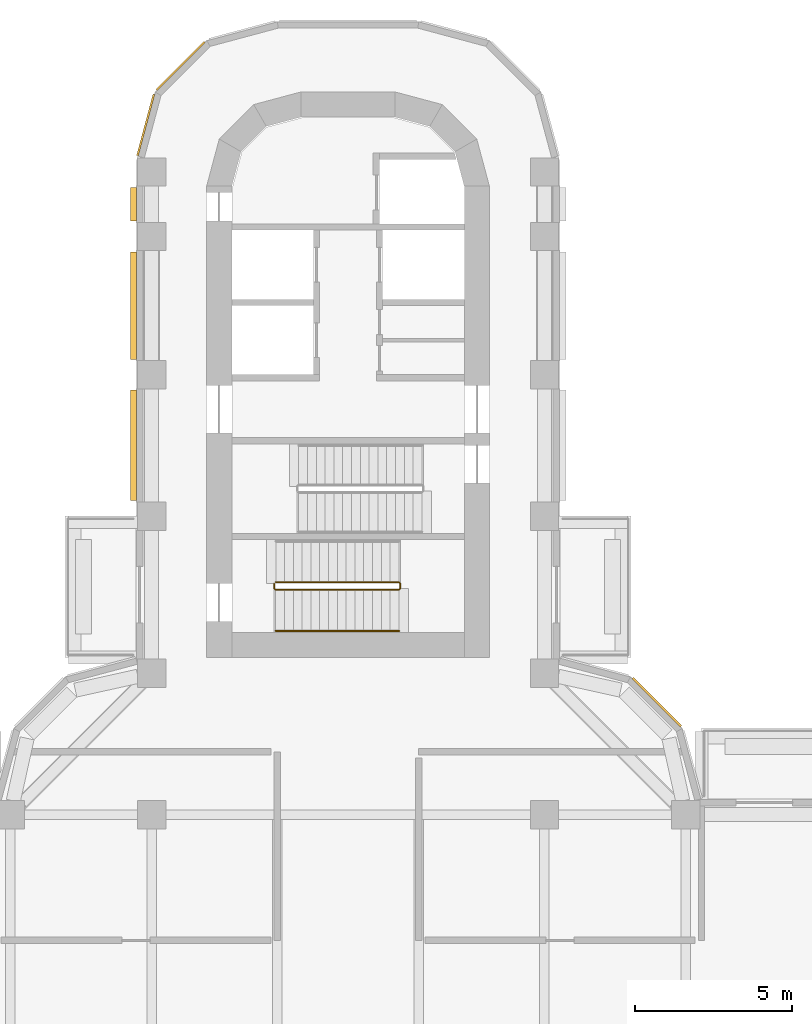
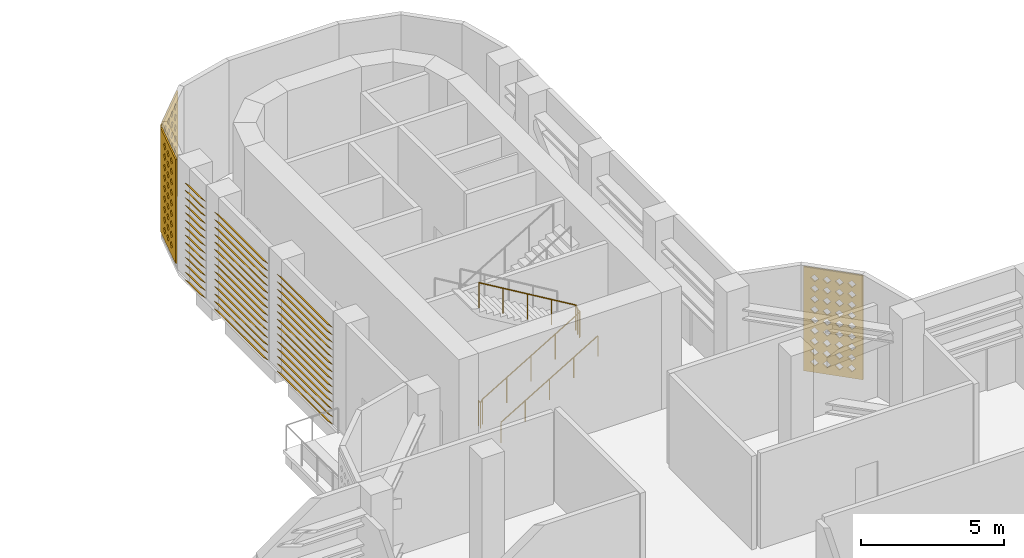
# One storey, part 16 of 20: 3 coverings, 3 shading devices, 2 railings.
"""IFC4 building model written with IfcOpenShell, lengths in metres."""

from ifc_helpers import new_model, si_unit, direction, frame, origin, origin_2d, place, context, subcontext, project, spatial, polyline, circle, outline, extrude, source, transform, mapped, material, layer, layer_set, type_object, element, save


model = new_model("IFC4")

# Units and contexts
model_context = context("Model", 3, precision=1e-05, world=origin(), true_north=direction((0.0, 1.0)))
body_context = subcontext(model_context, "Body", "Model", "MODEL_VIEW")
ifc_project = project(units=[si_unit("LENGTHUNIT", "METRE"), si_unit("AREAUNIT", "SQUARE_METRE"), si_unit("VOLUMEUNIT", "CUBIC_METRE"), si_unit("PLANEANGLEUNIT", "RADIAN"), si_unit("MASSUNIT", "GRAM", prefix="KILO")], contexts=[model_context])

# Site, building, storey
site_placement = place(None, origin())
site = spatial("IfcSite", under=ifc_project, at=site_placement, CompositionType="ELEMENT")
building_placement = place(site_placement, origin())
building = spatial("IfcBuilding", under=site, at=building_placement, Name="Zarbagh Exchange Tower", CompositionType="ELEMENT")
storey_placement = place(building_placement, frame((0.0, 0.0, 136.0)))
storey = spatial("IfcBuildingStorey", under=building, at=storey_placement, Name="L32", CompositionType="ELEMENT", Elevation=136.0)

# Railings
ifc_material_1 = material(Name="Stainless steel", Category="steel")
railing_type_1 = type_object("IfcRailingType", Name="Stair guard 1100 mm", PredefinedType="GUARDRAIL", material=ifc_material_1)
railing_1_placement = place(storey_placement, frame((-2.35009765625, 13.60009765625, 0.0)))
element("IfcRailing", 1, at=railing_1_placement, inside=storey, type_object=railing_type_1, Name="ST2 stair guard 1", PredefinedType="GUARDRAIL", context=body_context, shape_type="SweptSolid", body=[
    extrude(circle(Radius=0.02392578125, at=origin_2d()), frame((0.0, 0.0, 1.076171875), z_axis=(0.0, -1.0, 0.0), x_axis=(1.0, 0.0, 0.0)), (0.0, 0.0, 1.0), 0.150146484375),
    extrude(circle(Radius=0.02392578125, at=origin_2d()), frame((0.0, -0.150146484375, 1.076171875), z_axis=(0.27628659633, -0.27628659633, 0.920506074601), x_axis=(0.707106781187, 0.707106781187, 0.0)), (0.0, 0.0, 1.0), 0.18115234375),
    extrude(circle(Radius=0.02392578125, at=origin_2d()), frame((0.050048828125, -0.2001953125, 1.24267578125), z_axis=(0.859310244771, 0.0, 0.511454693235), x_axis=(0.0, 1.0, 0.0)), (0.0, 0.0, 1.0), 4.56201171875),
    extrude(circle(Radius=0.02392578125, at=origin_2d()), frame((3.97021484375, -0.2001953125, 3.576171875), z_axis=(0.705375805398, 0.708833529934, 0.0), x_axis=(-0.708833529934, 0.705375805398, 0.0)), (0.0, 0.0, 1.0), 0.070556640625),
    extrude(circle(Radius=0.02392578125, at=origin_2d()), frame((4.02001953125, -0.150146484375, 3.576171875), z_axis=(0.0, 1.0, 0.0), x_axis=(-1.0, 0.0, 0.0)), (0.0, 0.0, 1.0), 0.150146484375),
    extrude(circle(Radius=0.02392578125, at=origin_2d()), frame((4.02001953125, 0.0, 3.576171875), z_axis=(-0.275143339093, 0.275143339093, 0.92119068922), x_axis=(-0.707106781187, -0.707106781187, 0.0)), (0.0, 0.0, 1.0), 0.180908203125),
    extrude(circle(Radius=0.02392578125, at=origin_2d()), frame((3.97021484375, 0.0498046875, 3.74267578125), z_axis=(-0.859310244771, 0.0, 0.511454693235), x_axis=(0.0, -1.0, 0.0)), (0.0, 0.0, 1.0), 4.56201171875),
    extrude(circle(Radius=0.02099609375, at=origin_2d()), origin(), (0.0, 0.0, 1.0), 1.052001953125),
    extrude(circle(Radius=0.02099609375, at=origin_2d()), frame((0.0, -0.150146484375, 0.0)), (0.0, 0.0, 1.0), 1.052001953125),
    extrude(circle(Radius=0.02099609375, at=origin_2d()), frame((0.050048828125, -0.2001953125, 0.166748046875)), (0.0, 0.0, 1.0), 1.052001953125),
    extrude(circle(Radius=0.02099609375, at=origin_2d()), frame((1.030029296875, -0.2001953125, 0.75)), (0.0, 0.0, 1.0), 1.052001953125),
    extrude(circle(Radius=0.02099609375, at=origin_2d()), frame((2.01025390625, -0.2001953125, 1.33349609375)), (0.0, 0.0, 1.0), 1.052001953125),
    extrude(circle(Radius=0.02099609375, at=origin_2d()), frame((2.990234375, -0.2001953125, 1.916748046875)), (0.0, 0.0, 1.0), 1.052001953125),
    extrude(circle(Radius=0.02099609375, at=origin_2d()), frame((3.97021484375, -0.2001953125, 2.5)), (0.0, 0.0, 1.0), 1.052001953125),
    extrude(circle(Radius=0.02099609375, at=origin_2d()), frame((4.02001953125, -0.150146484375, 2.5)), (0.0, 0.0, 1.0), 1.052001953125),
    extrude(circle(Radius=0.02099609375, at=origin_2d()), frame((4.02001953125, 0.0, 2.5)), (0.0, 0.0, 1.0), 1.052001953125),
    extrude(circle(Radius=0.02099609375, at=origin_2d()), frame((3.97021484375, 0.0498046875, 2.666748046875)), (0.0, 0.0, 1.0), 1.052001953125),
    extrude(circle(Radius=0.02099609375, at=origin_2d()), frame((2.990234375, 0.0498046875, 3.25)), (0.0, 0.0, 1.0), 1.052001953125),
    extrude(circle(Radius=0.02099609375, at=origin_2d()), frame((2.01025390625, 0.0498046875, 3.83349609375)), (0.0, 0.0, 1.0), 1.052001953125),
    extrude(circle(Radius=0.02099609375, at=origin_2d()), frame((1.030029296875, 0.0498046875, 4.416748046875)), (0.0, 0.0, 1.0), 1.052001953125),
    extrude(circle(Radius=0.02099609375, at=origin_2d()), frame((0.050048828125, 0.0498046875, 5.0)), (0.0, 0.0, 1.0), 1.052001953125),
])
railing_type_2 = type_object("IfcRailingType", Name="Stair handrail 900 mm", PredefinedType="HANDRAIL", material=ifc_material_1)
railing_2_placement = place(storey_placement, frame((-2.300048828125, 12.10009765625, 0.166748046875)))
element("IfcRailing", 2, at=railing_2_placement, inside=storey, type_object=railing_type_2, Name="ST2 stair handrail 1", PredefinedType="HANDRAIL", context=body_context, shape_type="SweptSolid", body=[
    extrude(circle(Radius=0.02392578125, at=origin_2d()), frame((0.0, 0.0, 0.8759765625), z_axis=(0.859310244771, 0.0, 0.511454693235), x_axis=(0.0, 1.0, 0.0)), (0.0, 0.0, 1.0), 4.56201171875),
    extrude(circle(Radius=0.02099609375, at=origin_2d()), origin(), (0.0, 0.0, 1.0), 0.851806640625),
    extrude(circle(Radius=0.02099609375, at=origin_2d()), frame((0.97998046875, 0.0, 0.583251953125)), (0.0, 0.0, 1.0), 0.851806640625),
    extrude(circle(Radius=0.02099609375, at=origin_2d()), frame((1.9599609375, 0.0, 1.16650390625)), (0.0, 0.0, 1.0), 0.851806640625),
    extrude(circle(Radius=0.02099609375, at=origin_2d()), frame((2.940185546875, 0.0, 1.75)), (0.0, 0.0, 1.0), 0.851806640625),
    extrude(circle(Radius=0.02099609375, at=origin_2d()), frame((3.920166015625, 0.0, 2.333251953125)), (0.0, 0.0, 1.0), 0.851806640625),
])

# Coverings
ifc_material_2 = material(Name="Glass-fibre reinforced concrete GFRC C50/60", Category="concrete")
ifc_layer = layer(ifc_material_2, 0.06005859375)
ifc_layer_set = layer_set([ifc_layer], Name="SCREEN jali panel, GFRC")
covering_type = type_object("IfcCoveringType", Name="SCREEN jali panel, GFRC", PredefinedType="CLADDING", material=ifc_layer_set)
shared_shape_1 = source(origin(), body_context, "Body", "SweptSolid", [
    extrude(outline(polyline([(0.0, 0.0), (2.1650390625, 0.0), (2.1650390625, 4.449951171875), (0.0, 4.449951171875), (0.0, 0.0)]), holes=[polyline([(0.257568359375, 0.425048828125), (0.407470703125, 0.27490234375), (0.5576171875, 0.425048828125), (0.407470703125, 0.574951171875), (0.257568359375, 0.425048828125)]), polyline([(0.257568359375, 0.875), (0.407470703125, 0.72509765625), (0.5576171875, 0.875), (0.407470703125, 1.02490234375), (0.257568359375, 0.875)]), polyline([(0.257568359375, 1.324951171875), (0.407470703125, 1.175048828125), (0.5576171875, 1.324951171875), (0.407470703125, 1.47509765625), (0.257568359375, 1.324951171875)]), polyline([(0.257568359375, 1.77490234375), (0.407470703125, 1.625), (0.5576171875, 1.77490234375), (0.407470703125, 1.925048828125), (0.257568359375, 1.77490234375)]), polyline([(0.257568359375, 2.22509765625), (0.407470703125, 2.074951171875), (0.5576171875, 2.22509765625), (0.407470703125, 2.375), (0.257568359375, 2.22509765625)]), polyline([(0.257568359375, 2.675048828125), (0.407470703125, 2.52490234375), (0.5576171875, 2.675048828125), (0.407470703125, 2.824951171875), (0.257568359375, 2.675048828125)]), polyline([(0.257568359375, 3.125), (0.407470703125, 2.97509765625), (0.5576171875, 3.125), (0.407470703125, 3.27490234375), (0.257568359375, 3.125)]), polyline([(0.257568359375, 3.574951171875), (0.407470703125, 3.425048828125), (0.5576171875, 3.574951171875), (0.407470703125, 3.72509765625), (0.257568359375, 3.574951171875)]), polyline([(0.257568359375, 4.02490234375), (0.407470703125, 3.875), (0.5576171875, 4.02490234375), (0.407470703125, 4.175048828125), (0.257568359375, 4.02490234375)]), polyline([(0.70751953125, 0.425048828125), (0.857421875, 0.27490234375), (1.007568359375, 0.425048828125), (0.857421875, 0.574951171875), (0.70751953125, 0.425048828125)]), polyline([(0.70751953125, 0.875), (0.857421875, 0.72509765625), (1.007568359375, 0.875), (0.857421875, 1.02490234375), (0.70751953125, 0.875)]), polyline([(0.70751953125, 1.324951171875), (0.857421875, 1.175048828125), (1.007568359375, 1.324951171875), (0.857421875, 1.47509765625), (0.70751953125, 1.324951171875)]), polyline([(0.70751953125, 1.77490234375), (0.857421875, 1.625), (1.007568359375, 1.77490234375), (0.857421875, 1.925048828125), (0.70751953125, 1.77490234375)]), polyline([(0.70751953125, 2.22509765625), (0.857421875, 2.074951171875), (1.007568359375, 2.22509765625), (0.857421875, 2.375), (0.70751953125, 2.22509765625)]), polyline([(0.70751953125, 2.675048828125), (0.857421875, 2.52490234375), (1.007568359375, 2.675048828125), (0.857421875, 2.824951171875), (0.70751953125, 2.675048828125)]), polyline([(0.70751953125, 3.125), (0.857421875, 2.97509765625), (1.007568359375, 3.125), (0.857421875, 3.27490234375), (0.70751953125, 3.125)]), polyline([(0.70751953125, 3.574951171875), (0.857421875, 3.425048828125), (1.007568359375, 3.574951171875), (0.857421875, 3.72509765625), (0.70751953125, 3.574951171875)]), polyline([(0.70751953125, 4.02490234375), (0.857421875, 3.875), (1.007568359375, 4.02490234375), (0.857421875, 4.175048828125), (0.70751953125, 4.02490234375)]), polyline([(1.157470703125, 0.425048828125), (1.3076171875, 0.27490234375), (1.45751953125, 0.425048828125), (1.3076171875, 0.574951171875), (1.157470703125, 0.425048828125)]), polyline([(1.157470703125, 0.875), (1.3076171875, 0.72509765625), (1.45751953125, 0.875), (1.3076171875, 1.02490234375), (1.157470703125, 0.875)]), polyline([(1.157470703125, 1.324951171875), (1.3076171875, 1.175048828125), (1.45751953125, 1.324951171875), (1.3076171875, 1.47509765625), (1.157470703125, 1.324951171875)]), polyline([(1.157470703125, 1.77490234375), (1.3076171875, 1.625), (1.45751953125, 1.77490234375), (1.3076171875, 1.925048828125), (1.157470703125, 1.77490234375)]), polyline([(1.157470703125, 2.22509765625), (1.3076171875, 2.074951171875), (1.45751953125, 2.22509765625), (1.3076171875, 2.375), (1.157470703125, 2.22509765625)]), polyline([(1.157470703125, 2.675048828125), (1.3076171875, 2.52490234375), (1.45751953125, 2.675048828125), (1.3076171875, 2.824951171875), (1.157470703125, 2.675048828125)]), polyline([(1.157470703125, 3.125), (1.3076171875, 2.97509765625), (1.45751953125, 3.125), (1.3076171875, 3.27490234375), (1.157470703125, 3.125)]), polyline([(1.157470703125, 3.574951171875), (1.3076171875, 3.425048828125), (1.45751953125, 3.574951171875), (1.3076171875, 3.72509765625), (1.157470703125, 3.574951171875)]), polyline([(1.157470703125, 4.02490234375), (1.3076171875, 3.875), (1.45751953125, 4.02490234375), (1.3076171875, 4.175048828125), (1.157470703125, 4.02490234375)]), polyline([(1.607421875, 0.425048828125), (1.757568359375, 0.27490234375), (1.907470703125, 0.425048828125), (1.757568359375, 0.574951171875), (1.607421875, 0.425048828125)]), polyline([(1.607421875, 0.875), (1.757568359375, 0.72509765625), (1.907470703125, 0.875), (1.757568359375, 1.02490234375), (1.607421875, 0.875)]), polyline([(1.607421875, 1.324951171875), (1.757568359375, 1.175048828125), (1.907470703125, 1.324951171875), (1.757568359375, 1.47509765625), (1.607421875, 1.324951171875)]), polyline([(1.607421875, 1.77490234375), (1.757568359375, 1.625), (1.907470703125, 1.77490234375), (1.757568359375, 1.925048828125), (1.607421875, 1.77490234375)]), polyline([(1.607421875, 2.22509765625), (1.757568359375, 2.074951171875), (1.907470703125, 2.22509765625), (1.757568359375, 2.375), (1.607421875, 2.22509765625)]), polyline([(1.607421875, 2.675048828125), (1.757568359375, 2.52490234375), (1.907470703125, 2.675048828125), (1.757568359375, 2.824951171875), (1.607421875, 2.675048828125)]), polyline([(1.607421875, 3.125), (1.757568359375, 2.97509765625), (1.907470703125, 3.125), (1.757568359375, 3.27490234375), (1.607421875, 3.125)]), polyline([(1.607421875, 3.574951171875), (1.757568359375, 3.425048828125), (1.907470703125, 3.574951171875), (1.757568359375, 3.72509765625), (1.607421875, 3.574951171875)]), polyline([(1.607421875, 4.02490234375), (1.757568359375, 3.875), (1.907470703125, 4.02490234375), (1.757568359375, 4.175048828125), (1.607421875, 4.02490234375)])]), origin(), (0.0, 0.0, 1.0), 0.06005859375),
])
placement = place(storey_placement, origin())
element("IfcCovering", 3, at=placement, inside=storey, type_object=covering_type, Name="JS15 jali screen", PredefinedType="CLADDING", context=body_context, shape_type="MappedRepresentation", body=[
    mapped(shared_shape_1, transform((10.574951171875, 9.0439453125, 0.199951171875), x_axis=(-0.707106781187, 0.707106781187, 0.0), y_axis=(0.0, 0.0, 1.0), z_axis=(0.707106781187, 0.707106781187, 0.0))),
])
element("IfcCovering", 4, at=placement, inside=storey, type_object=covering_type, Name="JS53 jali screen", PredefinedType="CLADDING", context=body_context, shape_type="MappedRepresentation", body=[
    mapped(shared_shape_1, transform((-4.5439453125, 30.824951171875, 0.199951171875), x_axis=(-0.707106781187, -0.707106781187, 0.0), y_axis=(0.0, 0.0, 1.0), z_axis=(-0.707106781187, 0.707106781187, 0.0))),
])

# Shading devices
ifc_material_3 = material(Name="Anodised aluminium", Category="aluminium")
shading_device_type = type_object("IfcShadingDeviceType", Name="LOUVRE plant louvre, fixed blades", PredefinedType="USERDEFINED", material=ifc_material_3)
shared_shape_2 = source(origin(), body_context, "Body", "SweptSolid", [
    extrude(outline(polyline([(0.0, 0.199951171875), (0.199951171875, 0.0), (0.199951171875, -0.02001953125), (0.0, 0.179931640625), (0.0, 0.199951171875)])), origin(), (0.0, 0.0, 1.0), 3.419921875),
])
element("IfcShadingDevice", 5, at=placement, inside=storey, type_object=shading_device_type, Name="LV12 plant louvre", ObjectType="LOUVRE", PredefinedType="USERDEFINED", context=body_context, shape_type="MappedRepresentation", body=[
    mapped(shared_shape_2, transform((-6.72998046875, 24.159912109375, 0.199951171875), x_axis=(-1.0, 0.0, 0.0), y_axis=(0.0, 0.0, -1.0), z_axis=(0.0, -1.0, 0.0))),
    mapped(shared_shape_2, transform((-6.72998046875, 24.159912109375, 0.517822265625), x_axis=(-1.0, 0.0, 0.0), y_axis=(0.0, 0.0, -1.0), z_axis=(0.0, -1.0, 0.0))),
    mapped(shared_shape_2, transform((-6.72998046875, 24.159912109375, 0.835693359375), x_axis=(-1.0, 0.0, 0.0), y_axis=(0.0, 0.0, -1.0), z_axis=(0.0, -1.0, 0.0))),
    mapped(shared_shape_2, transform((-6.72998046875, 24.159912109375, 1.153564453125), x_axis=(-1.0, 0.0, 0.0), y_axis=(0.0, 0.0, -1.0), z_axis=(0.0, -1.0, 0.0))),
    mapped(shared_shape_2, transform((-6.72998046875, 24.159912109375, 1.471435546875), x_axis=(-1.0, 0.0, 0.0), y_axis=(0.0, 0.0, -1.0), z_axis=(0.0, -1.0, 0.0))),
    mapped(shared_shape_2, transform((-6.72998046875, 24.159912109375, 1.789306640625), x_axis=(-1.0, 0.0, 0.0), y_axis=(0.0, 0.0, -1.0), z_axis=(0.0, -1.0, 0.0))),
    mapped(shared_shape_2, transform((-6.72998046875, 24.159912109375, 2.107177734375), x_axis=(-1.0, 0.0, 0.0), y_axis=(0.0, 0.0, -1.0), z_axis=(0.0, -1.0, 0.0))),
    mapped(shared_shape_2, transform((-6.72998046875, 24.159912109375, 2.425048828125), x_axis=(-1.0, 0.0, 0.0), y_axis=(0.0, 0.0, -1.0), z_axis=(0.0, -1.0, 0.0))),
    mapped(shared_shape_2, transform((-6.72998046875, 24.159912109375, 2.742919921875), x_axis=(-1.0, 0.0, 0.0), y_axis=(0.0, 0.0, -1.0), z_axis=(0.0, -1.0, 0.0))),
    mapped(shared_shape_2, transform((-6.72998046875, 24.159912109375, 3.060791015625), x_axis=(-1.0, 0.0, 0.0), y_axis=(0.0, 0.0, -1.0), z_axis=(0.0, -1.0, 0.0))),
    mapped(shared_shape_2, transform((-6.72998046875, 24.159912109375, 3.378662109375), x_axis=(-1.0, 0.0, 0.0), y_axis=(0.0, 0.0, -1.0), z_axis=(0.0, -1.0, 0.0))),
    mapped(shared_shape_2, transform((-6.72998046875, 24.159912109375, 3.696533203125), x_axis=(-1.0, 0.0, 0.0), y_axis=(0.0, 0.0, -1.0), z_axis=(0.0, -1.0, 0.0))),
    mapped(shared_shape_2, transform((-6.72998046875, 24.159912109375, 4.014404296875), x_axis=(-1.0, 0.0, 0.0), y_axis=(0.0, 0.0, -1.0), z_axis=(0.0, -1.0, 0.0))),
    mapped(shared_shape_2, transform((-6.72998046875, 24.159912109375, 4.33203125), x_axis=(-1.0, 0.0, 0.0), y_axis=(0.0, 0.0, -1.0), z_axis=(0.0, -1.0, 0.0))),
])
shared_shape_3 = source(origin(), body_context, "Body", "SweptSolid", [
    extrude(outline(polyline([(0.0, 0.199951171875), (0.199951171875, 0.0), (0.199951171875, -0.02001953125), (0.0, 0.179931640625), (0.0, 0.199951171875)])), origin(), (0.0, 0.0, 1.0), 3.52001953125),
])
element("IfcShadingDevice", 6, at=placement, inside=storey, type_object=shading_device_type, Name="LV12 plant louvre", ObjectType="LOUVRE", PredefinedType="USERDEFINED", context=body_context, shape_type="MappedRepresentation", body=[
    mapped(shared_shape_3, transform((-6.72998046875, 19.760009765625, 0.199951171875), x_axis=(-1.0, 0.0, 0.0), y_axis=(0.0, 0.0, -1.0), z_axis=(0.0, -1.0, 0.0))),
    mapped(shared_shape_3, transform((-6.72998046875, 19.760009765625, 0.517822265625), x_axis=(-1.0, 0.0, 0.0), y_axis=(0.0, 0.0, -1.0), z_axis=(0.0, -1.0, 0.0))),
    mapped(shared_shape_3, transform((-6.72998046875, 19.760009765625, 0.835693359375), x_axis=(-1.0, 0.0, 0.0), y_axis=(0.0, 0.0, -1.0), z_axis=(0.0, -1.0, 0.0))),
    mapped(shared_shape_3, transform((-6.72998046875, 19.760009765625, 1.153564453125), x_axis=(-1.0, 0.0, 0.0), y_axis=(0.0, 0.0, -1.0), z_axis=(0.0, -1.0, 0.0))),
    mapped(shared_shape_3, transform((-6.72998046875, 19.760009765625, 1.471435546875), x_axis=(-1.0, 0.0, 0.0), y_axis=(0.0, 0.0, -1.0), z_axis=(0.0, -1.0, 0.0))),
    mapped(shared_shape_3, transform((-6.72998046875, 19.760009765625, 1.789306640625), x_axis=(-1.0, 0.0, 0.0), y_axis=(0.0, 0.0, -1.0), z_axis=(0.0, -1.0, 0.0))),
    mapped(shared_shape_3, transform((-6.72998046875, 19.760009765625, 2.107177734375), x_axis=(-1.0, 0.0, 0.0), y_axis=(0.0, 0.0, -1.0), z_axis=(0.0, -1.0, 0.0))),
    mapped(shared_shape_3, transform((-6.72998046875, 19.760009765625, 2.425048828125), x_axis=(-1.0, 0.0, 0.0), y_axis=(0.0, 0.0, -1.0), z_axis=(0.0, -1.0, 0.0))),
    mapped(shared_shape_3, transform((-6.72998046875, 19.760009765625, 2.742919921875), x_axis=(-1.0, 0.0, 0.0), y_axis=(0.0, 0.0, -1.0), z_axis=(0.0, -1.0, 0.0))),
    mapped(shared_shape_3, transform((-6.72998046875, 19.760009765625, 3.060791015625), x_axis=(-1.0, 0.0, 0.0), y_axis=(0.0, 0.0, -1.0), z_axis=(0.0, -1.0, 0.0))),
    mapped(shared_shape_3, transform((-6.72998046875, 19.760009765625, 3.378662109375), x_axis=(-1.0, 0.0, 0.0), y_axis=(0.0, 0.0, -1.0), z_axis=(0.0, -1.0, 0.0))),
    mapped(shared_shape_3, transform((-6.72998046875, 19.760009765625, 3.696533203125), x_axis=(-1.0, 0.0, 0.0), y_axis=(0.0, 0.0, -1.0), z_axis=(0.0, -1.0, 0.0))),
    mapped(shared_shape_3, transform((-6.72998046875, 19.760009765625, 4.014404296875), x_axis=(-1.0, 0.0, 0.0), y_axis=(0.0, 0.0, -1.0), z_axis=(0.0, -1.0, 0.0))),
    mapped(shared_shape_3, transform((-6.72998046875, 19.760009765625, 4.33203125), x_axis=(-1.0, 0.0, 0.0), y_axis=(0.0, 0.0, -1.0), z_axis=(0.0, -1.0, 0.0))),
])
shared_shape_4 = source(origin(), body_context, "Body", "SweptSolid", [
    extrude(outline(polyline([(0.0, 0.199951171875), (0.199951171875, 0.0), (0.199951171875, -0.02001953125), (0.0, 0.179931640625), (0.0, 0.199951171875)])), origin(), (0.0, 0.0, 1.0), 1.070068359375),
])
element("IfcShadingDevice", 7, at=placement, inside=storey, type_object=shading_device_type, Name="LV12 plant louvre", ObjectType="LOUVRE", PredefinedType="USERDEFINED", context=body_context, shape_type="MappedRepresentation", body=[
    mapped(shared_shape_4, transform((-6.72998046875, 26.2099609375, 0.199951171875), x_axis=(-1.0, 0.0, 0.0), y_axis=(0.0, 0.0, -1.0), z_axis=(0.0, -1.0, 0.0))),
    mapped(shared_shape_4, transform((-6.72998046875, 26.2099609375, 0.517822265625), x_axis=(-1.0, 0.0, 0.0), y_axis=(0.0, 0.0, -1.0), z_axis=(0.0, -1.0, 0.0))),
    mapped(shared_shape_4, transform((-6.72998046875, 26.2099609375, 0.835693359375), x_axis=(-1.0, 0.0, 0.0), y_axis=(0.0, 0.0, -1.0), z_axis=(0.0, -1.0, 0.0))),
    mapped(shared_shape_4, transform((-6.72998046875, 26.2099609375, 1.153564453125), x_axis=(-1.0, 0.0, 0.0), y_axis=(0.0, 0.0, -1.0), z_axis=(0.0, -1.0, 0.0))),
    mapped(shared_shape_4, transform((-6.72998046875, 26.2099609375, 1.471435546875), x_axis=(-1.0, 0.0, 0.0), y_axis=(0.0, 0.0, -1.0), z_axis=(0.0, -1.0, 0.0))),
    mapped(shared_shape_4, transform((-6.72998046875, 26.2099609375, 1.789306640625), x_axis=(-1.0, 0.0, 0.0), y_axis=(0.0, 0.0, -1.0), z_axis=(0.0, -1.0, 0.0))),
    mapped(shared_shape_4, transform((-6.72998046875, 26.2099609375, 2.107177734375), x_axis=(-1.0, 0.0, 0.0), y_axis=(0.0, 0.0, -1.0), z_axis=(0.0, -1.0, 0.0))),
    mapped(shared_shape_4, transform((-6.72998046875, 26.2099609375, 2.425048828125), x_axis=(-1.0, 0.0, 0.0), y_axis=(0.0, 0.0, -1.0), z_axis=(0.0, -1.0, 0.0))),
    mapped(shared_shape_4, transform((-6.72998046875, 26.2099609375, 2.742919921875), x_axis=(-1.0, 0.0, 0.0), y_axis=(0.0, 0.0, -1.0), z_axis=(0.0, -1.0, 0.0))),
    mapped(shared_shape_4, transform((-6.72998046875, 26.2099609375, 3.060791015625), x_axis=(-1.0, 0.0, 0.0), y_axis=(0.0, 0.0, -1.0), z_axis=(0.0, -1.0, 0.0))),
    mapped(shared_shape_4, transform((-6.72998046875, 26.2099609375, 3.378662109375), x_axis=(-1.0, 0.0, 0.0), y_axis=(0.0, 0.0, -1.0), z_axis=(0.0, -1.0, 0.0))),
    mapped(shared_shape_4, transform((-6.72998046875, 26.2099609375, 3.696533203125), x_axis=(-1.0, 0.0, 0.0), y_axis=(0.0, 0.0, -1.0), z_axis=(0.0, -1.0, 0.0))),
    mapped(shared_shape_4, transform((-6.72998046875, 26.2099609375, 4.014404296875), x_axis=(-1.0, 0.0, 0.0), y_axis=(0.0, 0.0, -1.0), z_axis=(0.0, -1.0, 0.0))),
    mapped(shared_shape_4, transform((-6.72998046875, 26.2099609375, 4.33203125), x_axis=(-1.0, 0.0, 0.0), y_axis=(0.0, 0.0, -1.0), z_axis=(0.0, -1.0, 0.0))),
])

# Covering
shared_shape_5 = source(origin(), body_context, "Body", "SweptSolid", [
    extrude(outline(polyline([(0.0, 0.0), (2.018310546875, 0.0), (2.018310546875, 4.449951171875), (0.0, 4.449951171875), (0.0, 0.0)]), holes=[polyline([(0.4091796875, 0.425048828125), (0.55908203125, 0.27490234375), (0.709228515625, 0.425048828125), (0.55908203125, 0.574951171875), (0.4091796875, 0.425048828125)]), polyline([(0.4091796875, 0.875), (0.55908203125, 0.72509765625), (0.709228515625, 0.875), (0.55908203125, 1.02490234375), (0.4091796875, 0.875)]), polyline([(0.4091796875, 1.324951171875), (0.55908203125, 1.175048828125), (0.709228515625, 1.324951171875), (0.55908203125, 1.47509765625), (0.4091796875, 1.324951171875)]), polyline([(0.4091796875, 1.77490234375), (0.55908203125, 1.625), (0.709228515625, 1.77490234375), (0.55908203125, 1.925048828125), (0.4091796875, 1.77490234375)]), polyline([(0.4091796875, 2.22509765625), (0.55908203125, 2.074951171875), (0.709228515625, 2.22509765625), (0.55908203125, 2.375), (0.4091796875, 2.22509765625)]), polyline([(0.4091796875, 2.675048828125), (0.55908203125, 2.52490234375), (0.709228515625, 2.675048828125), (0.55908203125, 2.824951171875), (0.4091796875, 2.675048828125)]), polyline([(0.4091796875, 3.125), (0.55908203125, 2.97509765625), (0.709228515625, 3.125), (0.55908203125, 3.27490234375), (0.4091796875, 3.125)]), polyline([(0.4091796875, 3.574951171875), (0.55908203125, 3.425048828125), (0.709228515625, 3.574951171875), (0.55908203125, 3.72509765625), (0.4091796875, 3.574951171875)]), polyline([(0.4091796875, 4.02490234375), (0.55908203125, 3.875), (0.709228515625, 4.02490234375), (0.55908203125, 4.175048828125), (0.4091796875, 4.02490234375)]), polyline([(0.859130859375, 0.425048828125), (1.00927734375, 0.27490234375), (1.1591796875, 0.425048828125), (1.00927734375, 0.574951171875), (0.859130859375, 0.425048828125)]), polyline([(0.859130859375, 0.875), (1.00927734375, 0.72509765625), (1.1591796875, 0.875), (1.00927734375, 1.02490234375), (0.859130859375, 0.875)]), polyline([(0.859130859375, 1.324951171875), (1.00927734375, 1.175048828125), (1.1591796875, 1.324951171875), (1.00927734375, 1.47509765625), (0.859130859375, 1.324951171875)]), polyline([(0.859130859375, 1.77490234375), (1.00927734375, 1.625), (1.1591796875, 1.77490234375), (1.00927734375, 1.925048828125), (0.859130859375, 1.77490234375)]), polyline([(0.859130859375, 2.22509765625), (1.00927734375, 2.074951171875), (1.1591796875, 2.22509765625), (1.00927734375, 2.375), (0.859130859375, 2.22509765625)]), polyline([(0.859130859375, 2.675048828125), (1.00927734375, 2.52490234375), (1.1591796875, 2.675048828125), (1.00927734375, 2.824951171875), (0.859130859375, 2.675048828125)]), polyline([(0.859130859375, 3.125), (1.00927734375, 2.97509765625), (1.1591796875, 3.125), (1.00927734375, 3.27490234375), (0.859130859375, 3.125)]), polyline([(0.859130859375, 3.574951171875), (1.00927734375, 3.425048828125), (1.1591796875, 3.574951171875), (1.00927734375, 3.72509765625), (0.859130859375, 3.574951171875)]), polyline([(0.859130859375, 4.02490234375), (1.00927734375, 3.875), (1.1591796875, 4.02490234375), (1.00927734375, 4.175048828125), (0.859130859375, 4.02490234375)]), polyline([(1.30908203125, 0.425048828125), (1.459228515625, 0.27490234375), (1.609130859375, 0.425048828125), (1.459228515625, 0.574951171875), (1.30908203125, 0.425048828125)]), polyline([(1.30908203125, 0.875), (1.459228515625, 0.72509765625), (1.609130859375, 0.875), (1.459228515625, 1.02490234375), (1.30908203125, 0.875)]), polyline([(1.30908203125, 1.324951171875), (1.459228515625, 1.175048828125), (1.609130859375, 1.324951171875), (1.459228515625, 1.47509765625), (1.30908203125, 1.324951171875)]), polyline([(1.30908203125, 1.77490234375), (1.459228515625, 1.625), (1.609130859375, 1.77490234375), (1.459228515625, 1.925048828125), (1.30908203125, 1.77490234375)]), polyline([(1.30908203125, 2.22509765625), (1.459228515625, 2.074951171875), (1.609130859375, 2.22509765625), (1.459228515625, 2.375), (1.30908203125, 2.22509765625)]), polyline([(1.30908203125, 2.675048828125), (1.459228515625, 2.52490234375), (1.609130859375, 2.675048828125), (1.459228515625, 2.824951171875), (1.30908203125, 2.675048828125)]), polyline([(1.30908203125, 3.125), (1.459228515625, 2.97509765625), (1.609130859375, 3.125), (1.459228515625, 3.27490234375), (1.30908203125, 3.125)]), polyline([(1.30908203125, 3.574951171875), (1.459228515625, 3.425048828125), (1.609130859375, 3.574951171875), (1.459228515625, 3.72509765625), (1.30908203125, 3.574951171875)]), polyline([(1.30908203125, 4.02490234375), (1.459228515625, 3.875), (1.609130859375, 4.02490234375), (1.459228515625, 4.175048828125), (1.30908203125, 4.02490234375)])]), origin(), (0.0, 0.0, 1.0), 0.06005859375),
])
element("IfcCovering", 8, at=placement, inside=storey, type_object=covering_type, Name="JS54 jali screen", PredefinedType="CLADDING", context=body_context, shape_type="MappedRepresentation", body=[
    mapped(shared_shape_5, transform((-6.14892578125, 29.16552734375, 0.199951171875), x_axis=(-0.258825057666, -0.965924215207, 0.0), y_axis=(0.0, 0.0, 1.0), z_axis=(-0.965924215207, 0.258825057666, 0.0))),
])

save(model, "model.ifc")
